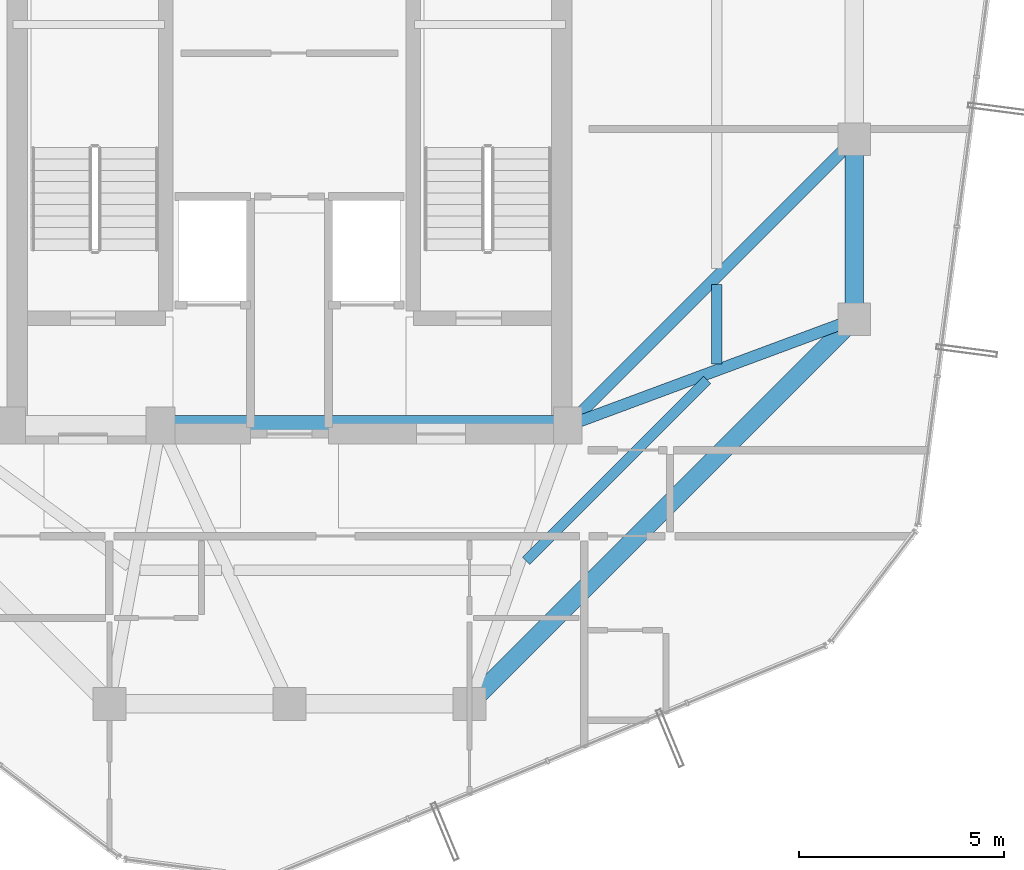
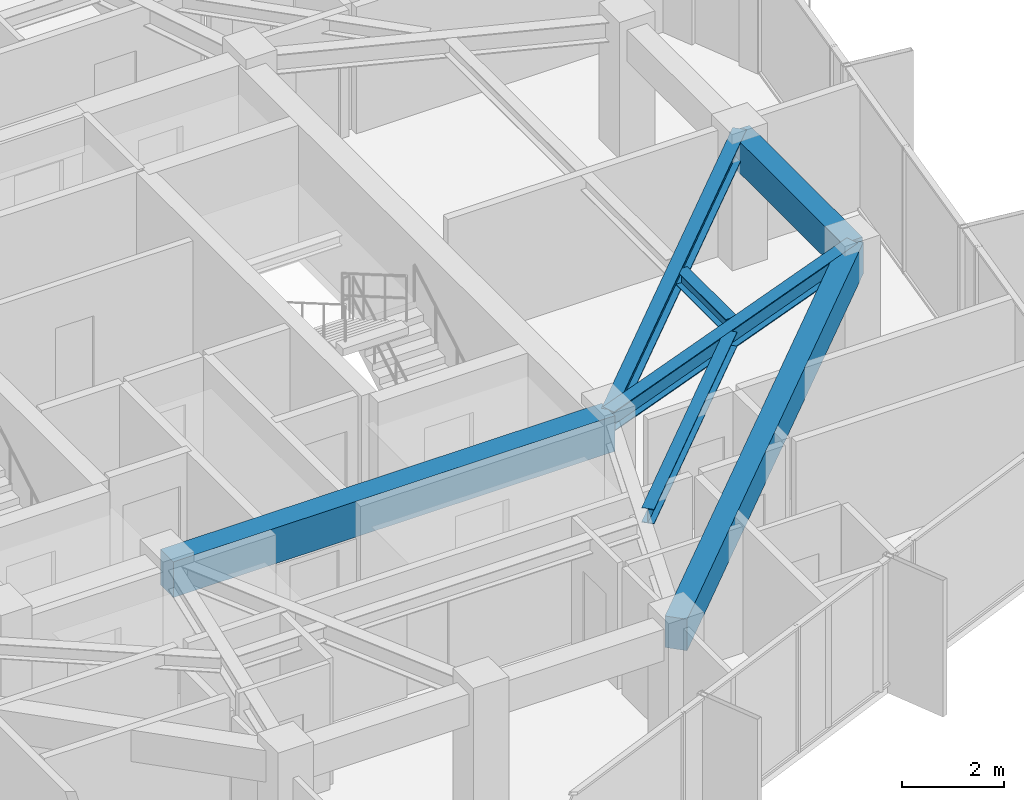
# One storey, part 11 of 31: 7 beams.
"""IFC4 building model written with IfcOpenShell, lengths in metres."""

import ifcopenshell
import ifcopenshell.guid

model = None  # the IFC model being written
_history = None  # IfcOwnerHistory: only IFC2X3 demands one
_inside = {}  # id of a spatial element -> (the spatial element, [elements in it])
_under = {}  # id of a project, library or spatial element -> (it, [spatial elements below it])
_declared = {}  # id of a project -> (the project, [libraries it declares])
_typed = {}  # id of a type object -> (the type object, [elements of that type])
_made_of = {}  # id of a material, layer set ... -> (it, [elements and type objects made of it])


def new_model(schema):
    """Start an empty IFC model of exactly this schema.

    Asked for "IFC4X3", IfcOpenShell would pick the latest addendum, in which some entities
    have other attributes; the version numbers below select the first issue.
    IFC2X3 requires an IfcOwnerHistory on every rooted entity: one is made here for all.
    """
    global model, _history
    if schema == "IFC4X3":
        model = ifcopenshell.file(schema_version=(4, 3, 0, 0))
    else:
        model = ifcopenshell.file(schema=schema)
    _inside.clear()
    _under.clear()
    _declared.clear()
    _typed.clear()
    _made_of.clear()
    _history = None
    if model.schema == "IFC2X3":
        org = make("IfcOrganization", Name="unknown")
        user = make(
            "IfcPersonAndOrganization",
            ThePerson=make("IfcPerson", FamilyName="unknown"),
            TheOrganization=org,
        )
        app = make(
            "IfcApplication",
            ApplicationDeveloper=org,
            Version="unknown",
            ApplicationFullName="unknown",
            ApplicationIdentifier="unknown",
        )
        _history = make(
            "IfcOwnerHistory",
            OwningUser=user,
            OwningApplication=app,
            ChangeAction="ADDED",
            CreationDate=0,
        )
    return model


def make(cls, **values):
    """One entity of the class cls with the attributes given. An attribute that is None is left unset."""
    return model.create_entity(
        cls, **{name: value for name, value in values.items() if value is not None}
    )


def rooted(cls, **values):
    """An entity with a GlobalId (a new one), such as an element, a storey or a relation."""
    return make(cls, GlobalId=ifcopenshell.guid.new(), OwnerHistory=_history, **values)


def si_unit(unit_type, name, prefix=None):
    """IfcSIUnit, for example si_unit("LENGTHUNIT", "METRE", prefix="MILLI")."""
    return make("IfcSIUnit", UnitType=unit_type, Prefix=prefix, Name=name)


def assignment(units):
    """IfcUnitAssignment: the units of a project."""
    return None if units is None else make("IfcUnitAssignment", Units=units)


def point(xyz):
    """IfcCartesianPoint."""
    return None if xyz is None else make("IfcCartesianPoint", Coordinates=xyz)


def direction(xyz):
    """IfcDirection."""
    return None if xyz is None else make("IfcDirection", DirectionRatios=xyz)


def frame(location, z_axis=None, x_axis=None):
    """IfcAxis2Placement3D, a coordinate frame: its origin and axes. An axis left out is left unset."""
    return make(
        "IfcAxis2Placement3D",
        Location=point(location),
        Axis=direction(z_axis),
        RefDirection=direction(x_axis),
    )


def frame_2d(location, x_axis=None):
    """IfcAxis2Placement2D, a coordinate frame in the plane: its origin and x axis."""
    return make(
        "IfcAxis2Placement2D", Location=point(location), RefDirection=direction(x_axis)
    )


def origin():
    """The frame at (0, 0, 0) with its axes left unset."""
    return frame((0.0, 0.0, 0.0))


def origin_2d():
    """The frame at (0, 0) in the plane with its x axis left unset."""
    return frame_2d((0.0, 0.0))


def place(relative_to, where):
    """IfcLocalPlacement: puts the frame where relative to a parent placement (None: the world)."""
    return make(
        "IfcLocalPlacement", PlacementRelTo=relative_to, RelativePlacement=where
    )


def context(
    kind, dimensions, precision=None, world=None, true_north=None, identifier=None
):
    """IfcGeometricRepresentationContext, for example the 3D "Model" context."""
    return make(
        "IfcGeometricRepresentationContext",
        ContextIdentifier=identifier,
        ContextType=kind,
        CoordinateSpaceDimension=dimensions,
        Precision=precision,
        WorldCoordinateSystem=world,
        TrueNorth=true_north,
    )


def subcontext(parent, identifier, kind, view, scale=None):
    """IfcGeometricRepresentationSubContext, for example "Body" below "Model"."""
    return make(
        "IfcGeometricRepresentationSubContext",
        ContextIdentifier=identifier,
        ContextType=kind,
        ParentContext=parent,
        TargetScale=scale,
        TargetView=view,
    )


def project(units=None, contexts=None):
    """IfcProject with its units and contexts."""
    return rooted(
        "IfcProject",
        Name="project",
        RepresentationContexts=contexts,
        UnitsInContext=assignment(units),
    )


def spatial(cls, under=None, at=None, **own):
    """A site, building, storey or space (cls), placed at a placement, below another one or the project."""
    s = rooted(cls, ObjectPlacement=at, **own)
    if under is not None:
        _under.setdefault(under.id(), (under, []))[1].append(s)
    return s


def profile(cls, at=None, kind="AREA", **sizes):
    """A parametric profile (cls). Its sizes go by their IFC names, for example OverallWidth=200.0."""
    return make(cls, ProfileType=kind, Position=at, **sizes)


def rectangle(**sizes):
    """IfcRectangleProfileDef."""
    return profile("IfcRectangleProfileDef", **sizes)


def i_section(**sizes):
    """IfcIShapeProfileDef."""
    return profile("IfcIShapeProfileDef", **sizes)


def extrude(swept, where, along, depth):
    """IfcExtrudedAreaSolid: the profile swept, set in the frame where, extruded along a direction by depth."""
    return make(
        "IfcExtrudedAreaSolid",
        SweptArea=swept,
        Position=where,
        ExtrudedDirection=direction(along),
        Depth=depth,
    )


def shape(context_of_items, identifier, shape_type, items):
    """IfcShapeRepresentation: the items that make up one representation, for example the "Body"."""
    return make(
        "IfcShapeRepresentation",
        ContextOfItems=context_of_items,
        RepresentationIdentifier=identifier,
        RepresentationType=shape_type,
        Items=items,
    )


def material(Name=None, Category=None):
    """IfcMaterial."""
    return make("IfcMaterial", Name=Name, Category=Category)


def material_profile(
    of_material, cross_section, Name=None, Category=None, Priority=None
):
    """IfcMaterialProfile: a cross section and its material."""
    return make(
        "IfcMaterialProfile",
        Name=Name,
        Material=of_material,
        Profile=cross_section,
        Priority=Priority,
        Category=Category,
    )


def profile_set(profiles, Name=None, composite=None):
    """IfcMaterialProfileSet."""
    return make(
        "IfcMaterialProfileSet",
        Name=Name,
        MaterialProfiles=profiles,
        CompositeProfile=composite,
    )


def made_of(thing, what):
    """Note that an element or type object is made of a material, layer set ...; save() writes the relation."""
    if what is not None:
        _made_of.setdefault(what.id(), (what, []))[1].append(thing)
    return thing


def type_object(cls, material=None, **own):
    """A type object (cls), such as IfcWallType, which elements share."""
    return made_of(rooted(cls, **own), material)


def element(
    cls,
    number,
    at=None,
    inside=None,
    cuts=None,
    type_object=None,
    material=None,
    context=None,
    identifier="Body",
    shape_type=None,
    held_by="IfcProductDefinitionShape",
    body=None,
    shapes=None,
    **own,
):
    """One element of the class cls, such as IfcWall. Its Tag is "e" and its number.

    at: its placement. inside: the storey or other place that contains it. cuts: it is an
    opening in that element (IfcRelVoidsElement). A single representation is given by context,
    identifier, shape_type and body (its items); several are given by shapes. held_by: the class
    of the entity that holds the representations. save() writes the other relations.
    """
    e = rooted(cls, Tag="e%d" % number, ObjectPlacement=at, **own)
    if body is not None:
        shapes = [shape(context, identifier, shape_type, body)]
    if shapes is not None:
        e.Representation = make(held_by, Representations=shapes)
    if inside is not None:
        _inside.setdefault(inside.id(), (inside, []))[1].append(e)
    if cuts is not None:
        rooted(
            "IfcRelVoidsElement", RelatingBuildingElement=cuts, RelatedOpeningElement=e
        )
    if type_object is not None:
        _typed.setdefault(type_object.id(), (type_object, []))[1].append(e)
    return made_of(e, material)


def aggregate(whole, parts):
    """IfcRelAggregates: a whole, such as a stair, and the parts it consists of."""
    return rooted("IfcRelAggregates", RelatingObject=whole, RelatedObjects=parts)


def save(model, path):
    """Write the relations noted so far, then the file.

    IfcRelAggregates (storeys below a building ...), IfcRelContainedInSpatialStructure (elements
    in a storey), IfcRelDefinesByType, IfcRelAssociatesMaterial and IfcRelDeclares: one each for
    every whole, place, type object, material and project.
    """
    for whole, parts in _under.values():
        aggregate(whole, parts)
    for where, things in _inside.values():
        rooted(
            "IfcRelContainedInSpatialStructure",
            RelatedElements=things,
            RelatingStructure=where,
        )
    for kind, things in _typed.values():
        rooted("IfcRelDefinesByType", RelatedObjects=things, RelatingType=kind)
    for what, things in _made_of.values():
        rooted("IfcRelAssociatesMaterial", RelatedObjects=things, RelatingMaterial=what)
    for by, libraries in _declared.values():
        rooted("IfcRelDeclares", RelatingContext=by, RelatedDefinitions=libraries)
    model.write(path)


model = new_model("IFC4")

# Units and contexts
model_context = context("Model", 3, precision=1e-05, world=origin(), true_north=direction((0.0, 1.0)))
body_context = subcontext(model_context, "Body", "Model", "MODEL_VIEW")
ifc_project = project(units=[si_unit("LENGTHUNIT", "METRE"), si_unit("AREAUNIT", "SQUARE_METRE"), si_unit("VOLUMEUNIT", "CUBIC_METRE"), si_unit("PLANEANGLEUNIT", "RADIAN"), si_unit("MASSUNIT", "GRAM", prefix="KILO")], contexts=[model_context])

# Site, building, storey
site_placement = place(None, origin())
site = spatial("IfcSite", under=ifc_project, at=site_placement, CompositionType="ELEMENT")
building_placement = place(site_placement, origin())
building = spatial("IfcBuilding", under=site, at=building_placement, Name="Veraguas Prism Commons", CompositionType="ELEMENT")
storey_placement = place(building_placement, frame((0.0, 0.0, 233.300048828125)))
storey = spatial("IfcBuildingStorey", under=building, at=storey_placement, Name="L66", CompositionType="ELEMENT", Elevation=233.300048828125)

# Beams
ifc_material_1 = material(Name="Concrete C50/60", Category="concrete")
ifc_material_profile_1 = material_profile(ifc_material_1, rectangle(XDim=0.5, YDim=0.85009765625, at=origin_2d()), Name="RC500X850")
ifc_profile_set_1 = profile_set([ifc_material_profile_1], Name="Concrete C50/60")
beam_type_1 = type_object("IfcBeamType", Name="Core Coupling Beam RC 500x850", PredefinedType="BEAM", material=ifc_profile_set_1)
beam_1_placement = place(storey_placement, frame((20.85009765625, 17.0, 2.58984375), z_axis=(1.0, 0.0, 0.0), x_axis=(0.0, 1.0, 0.0)))
element("IfcBeam", 1, at=beam_1_placement, inside=storey, type_object=beam_type_1, Name="Core Coupling Beam L66-CRS2", PredefinedType="BEAM", context=body_context, shape_type="SweptSolid", body=[
    extrude(rectangle(XDim=0.5, YDim=0.85009765625, at=origin_2d()), origin(), (0.0, 0.0, 1.0), 9.949951171875),
])
ifc_material_profile_2 = material_profile(ifc_material_1, rectangle(XDim=0.449951171875, YDim=0.75, at=origin_2d()), Name="RC450X750")
ifc_profile_set_2 = profile_set([ifc_material_profile_2], Name="Concrete C50/60")
beam_type_2 = type_object("IfcBeamType", Name="Perimeter Spandrel Upper RC 450x750", PredefinedType="SPANDREL", material=ifc_profile_set_2)
beam_2_placement = place(storey_placement, frame((37.800048828125, 19.60009765625, 2.639892578125), z_axis=(0.0, 1.0, 0.0), x_axis=(-1.0, 0.0, 0.0)))
element("IfcBeam", 2, at=beam_2_placement, inside=storey, type_object=beam_type_2, Name="Perimeter Spandrel Beam L66-SP01", PredefinedType="SPANDREL", context=body_context, shape_type="SweptSolid", body=[
    extrude(rectangle(XDim=0.449951171875, YDim=0.75, at=origin_2d()), origin(), (0.0, 0.0, 1.0), 4.39990234375),
])
beam_3_placement = place(storey_placement, frame((28.39990234375, 10.199951171875, 2.639892578125), z_axis=(0.707106781187, 0.707106781187, 0.0), x_axis=(-0.707106781187, 0.707106781187, 0.0)))
element("IfcBeam", 3, at=beam_3_placement, inside=storey, type_object=beam_type_2, Name="Perimeter Spandrel Beam L66-SP12", PredefinedType="SPANDREL", context=body_context, shape_type="SweptSolid", body=[
    extrude(rectangle(XDim=0.449951171875, YDim=0.75, at=origin_2d()), origin(), (0.0, 0.0, 1.0), 13.293701171875),
])
ifc_material_2 = material(Name="Steel ASTM A992 Grade 50", Category="steel")
ifc_material_profile_3 = material_profile(ifc_material_2, i_section(OverallWidth=0.25390625, OverallDepth=0.35302734375, WebThickness=0.009521484375, FlangeThickness=0.016357421875, at=origin_2d()), Name="W360X91")
ifc_profile_set_3 = profile_set([ifc_material_profile_3], Name="Steel ASTM A992 Grade 50")
beam_type_3 = type_object("IfcBeamType", Name="Upper Floor Joist W360x91", PredefinedType="JOIST", material=ifc_profile_set_3)
beam_4_placement = place(storey_placement, frame((34.43994140625, 18.500732421875, 2.83837890625), z_axis=(0.0, 1.0, 0.0), x_axis=(-1.0, 0.0, 0.0)))
element("IfcBeam", 4, at=beam_4_placement, inside=storey, type_object=beam_type_3, Name="Composite Floor Joist L66-JS01", PredefinedType="JOIST", context=body_context, shape_type="SweptSolid", body=[
    extrude(i_section(OverallWidth=0.25390625, OverallDepth=0.35302734375, WebThickness=0.009521484375, FlangeThickness=0.016357421875, at=origin_2d()), origin(), (0.0, 0.0, 1.0), 1.94189453125),
])
beam_5_placement = place(storey_placement, frame((29.780517578125, 13.692626953125, 2.83837890625), z_axis=(0.707126297541, 0.707087264294, 0.0), x_axis=(-0.707087264294, 0.707126297541, 0.0)))
element("IfcBeam", 5, at=beam_5_placement, inside=storey, type_object=beam_type_3, Name="Composite Floor Joist L66-JS12", PredefinedType="JOIST", context=body_context, shape_type="SweptSolid", body=[
    extrude(i_section(OverallWidth=0.25390625, OverallDepth=0.35302734375, WebThickness=0.009521484375, FlangeThickness=0.016357421875, at=origin_2d()), origin(), (0.0, 0.0, 1.0), 6.254638671875),
])
ifc_material_profile_4 = material_profile(ifc_material_2, i_section(OverallWidth=0.282958984375, OverallDepth=0.471923828125, WebThickness=0.013671875, FlangeThickness=0.022216796875, at=origin_2d()), Name="W460X144")
ifc_profile_set_4 = profile_set([ifc_material_profile_4], Name="Steel ASTM A992 Grade 50")
beam_type_4 = type_object("IfcBeamType", Name="Zone 4 Radial Girder W460x144", PredefinedType="BEAM", material=ifc_profile_set_4)
beam_6_placement = place(storey_placement, frame((37.800048828125, 19.60009765625, 2.779052734375), z_axis=(-0.937421003341, -0.348198021958, 0.0), x_axis=(0.348198021958, -0.937421003341, 0.0)))
element("IfcBeam", 6, at=beam_6_placement, inside=storey, type_object=beam_type_4, Name="Radial Floor Girder L66-RD01", PredefinedType="BEAM", context=body_context, shape_type="SweptSolid", body=[
    extrude(i_section(OverallWidth=0.282958984375, OverallDepth=0.471923828125, WebThickness=0.013671875, FlangeThickness=0.022216796875, at=origin_2d()), origin(), (0.0, 0.0, 1.0), 7.46728515625),
])
beam_7_placement = place(storey_placement, frame((37.800048828125, 24.0, 2.779052734375), z_axis=(-0.707106781187, -0.707106781187, 0.0), x_axis=(0.707106781187, -0.707106781187, 0.0)))
element("IfcBeam", 7, at=beam_7_placement, inside=storey, type_object=beam_type_4, Name="Radial Floor Girder L66-RD02", PredefinedType="BEAM", context=body_context, shape_type="SweptSolid", body=[
    extrude(i_section(OverallWidth=0.282958984375, OverallDepth=0.471923828125, WebThickness=0.013671875, FlangeThickness=0.022216796875, at=origin_2d()), origin(), (0.0, 0.0, 1.0), 9.8994140625),
])

save(model, "model.ifc")
